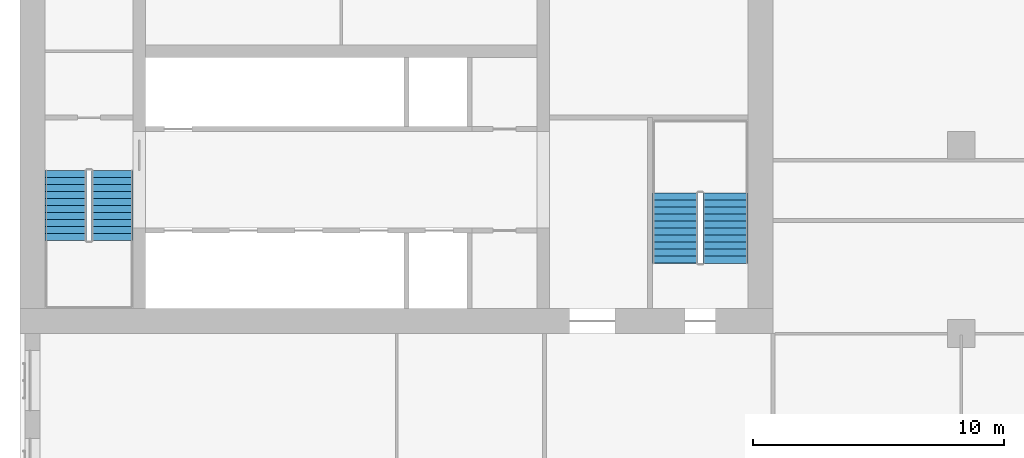
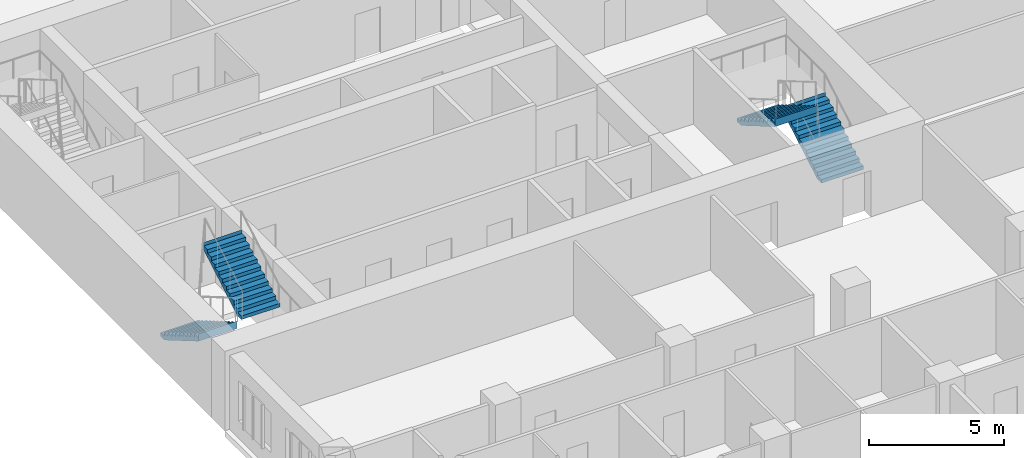
# One storey, part 12 of 14: 4 stair flights, 2 elements without a shape of their own.
"""IFC4 building model written with IfcOpenShell, lengths in metres."""

from ifc_helpers import new_model, si_unit, direction, frame, origin, place, context, subcontext, project, spatial, polyline, outline, extrude, material, type_object, element, aggregate, save


model = new_model("IFC4")

# Units and contexts
model_context = context("Model", 3, precision=1e-05, world=origin(), true_north=direction((0.0, 1.0)))
body_context = subcontext(model_context, "Body", "Model", "MODEL_VIEW")
ifc_project = project(units=[si_unit("LENGTHUNIT", "METRE"), si_unit("AREAUNIT", "SQUARE_METRE"), si_unit("VOLUMEUNIT", "CUBIC_METRE"), si_unit("PLANEANGLEUNIT", "RADIAN"), si_unit("MASSUNIT", "GRAM", prefix="KILO")], contexts=[model_context])

# Site, building, storey
site_placement = place(None, origin())
site = spatial("IfcSite", under=ifc_project, at=site_placement, CompositionType="ELEMENT")
building_placement = place(site_placement, origin())
building = spatial("IfcBuilding", under=site, at=building_placement, Name="Tamorin Gate", CompositionType="ELEMENT")
storey_placement = place(building_placement, frame((0.0, 0.0, 79.10009765625)))
storey = spatial("IfcBuildingStorey", under=building, at=storey_placement, Name="L18", CompositionType="ELEMENT", Elevation=79.10009765625)

# Stair, stair flights
ifc_material = material(Name="Concrete C40/50", Category="concrete")
stair_type = type_object("IfcStairType", Name="Exit stair", PredefinedType="HALF_TURN_STAIR", material=ifc_material)
stair_1_placement = place(storey_placement, origin())
stair_1 = element("IfcStair", 1, at=stair_1_placement, inside=storey, type_object=stair_type, Name="L18 stair ST1", PredefinedType="HALF_TURN_STAIR")
stair_flight_type = type_object("IfcStairFlightType", Name="Exit stair flight", PredefinedType="STRAIGHT", material=ifc_material)
stair_flight_1_placement = place(storey_placement, frame((31.824951171875, 66.5, 0.0), z_axis=(0.0, 0.0, 1.0), x_axis=(0.0, -1.0, 0.0)))
stair_flight_1 = element("IfcStairFlight", 2, at=stair_flight_1_placement, type_object=stair_flight_type, Name="ST1 flight 1", NumberOfRisers=11, NumberOfTreads=10, PredefinedType="STRAIGHT", RiserHeight=0.163636364, TreadLength=0.28, context=body_context, shape_type="SweptSolid", body=[
    extrude(outline(polyline([(-0.00048828125, 0.0), (-0.00048828125, 0.001708984375), (-0.00048828125, 0.003173828125), (-0.00048828125, 0.0048828125), (-0.00048828125, 0.006591796875), (-0.00048828125, 0.008056640625), (-0.00048828125, 0.009765625), (-0.00048828125, 0.01123046875), (-0.00048828125, 0.012939453125), (-0.00048828125, 0.0146484375), (-0.00048828125, 0.01611328125), (-0.00048828125, 0.017822265625), (-0.00048828125, 0.01953125), (-0.00048828125, 0.02099609375), (-0.00048828125, 0.022705078125), (-0.00048828125, 0.0244140625), (-0.00048828125, 0.02587890625), (-0.00048828125, 0.027587890625), (-0.00048828125, 0.029052734375), (-0.00048828125, 0.03076171875), (-0.00048828125, 0.032470703125), (-0.00048828125, 0.033935546875), (-0.00048828125, 0.03564453125), (-0.00048828125, 0.037353515625), (-0.00048828125, 0.038818359375), (-0.00048828125, 0.04052734375), (-0.00048828125, 0.042236328125), (-0.00048828125, 0.043701171875), (-0.00048828125, 0.04541015625), (-0.00048828125, 0.046875), (-0.00048828125, 0.048583984375), (-0.00048828125, 0.05029296875), (-0.00048828125, 0.0517578125), (-0.00048828125, 0.053466796875), (-0.00048828125, 0.05517578125), (-0.00048828125, 0.056640625), (-0.00048828125, 0.058349609375), (-0.00048828125, 0.06005859375), (-0.00048828125, 0.0615234375), (-0.00048828125, 0.063232421875), (-0.00048828125, 0.064697265625), (-0.00048828125, 0.06640625), (-0.00048828125, 0.068115234375), (-0.00048828125, 0.069580078125), (-0.00048828125, 0.0712890625), (-0.00048828125, 0.072998046875), (-0.00048828125, 0.074462890625), (-0.00048828125, 0.076171875), (-0.00048828125, 0.077880859375), (-0.00048828125, 0.079345703125), (-0.00048828125, 0.0810546875), (-0.00048828125, 0.08251953125), (-0.00048828125, 0.084228515625), (-0.00048828125, 0.0859375), (-0.00048828125, 0.08740234375), (-0.00048828125, 0.089111328125), (-0.00048828125, 0.0908203125), (-0.00048828125, 0.09228515625), (-0.00048828125, 0.093994140625), (-0.00048828125, 0.095703125), (-0.00048828125, 0.09716796875), (-0.00048828125, 0.098876953125), (-0.00048828125, 0.100341796875), (-0.00048828125, 0.10205078125), (-0.00048828125, 0.103759765625), (-0.00048828125, 0.105224609375), (-0.00048828125, 0.10693359375), (-0.00048828125, 0.108642578125), (-0.00048828125, 0.110107421875), (-0.00048828125, 0.11181640625), (-0.00048828125, 0.113525390625), (-0.00048828125, 0.114990234375), (-0.00048828125, 0.11669921875), (-0.00048828125, 0.1181640625), (-0.00048828125, 0.119873046875), (-0.00048828125, 0.12158203125), (-0.00048828125, 0.123046875), (-0.00048828125, 0.124755859375), (-0.00048828125, 0.12646484375), (-0.00048828125, 0.1279296875), (-0.00048828125, 0.129638671875), (-0.00048828125, 0.13134765625), (-0.00048828125, 0.1328125), (-0.00048828125, 0.134521484375), (-0.00048828125, 0.135986328125), (-0.00048828125, 0.1376953125), (-0.00048828125, 0.139404296875), (-0.00048828125, 0.140869140625), (-0.00048828125, 0.142578125), (-0.00048828125, 0.144287109375), (-0.00048828125, 0.145751953125), (-0.00048828125, 0.1474609375), (-0.00048828125, 0.149169921875), (-0.00048828125, 0.150634765625), (-0.00048828125, 0.15234375), (-0.00048828125, 0.15380859375), (-0.00048828125, 0.155517578125), (-0.00048828125, 0.1572265625), (-0.00048828125, 0.15869140625), (-0.00048828125, 0.160400390625), (-0.00048828125, 0.162109375), (-0.00048828125, 0.16357421875), (0.280029296875, 0.16357421875), (0.280029296875, 0.327392578125), (0.56005859375, 0.327392578125), (0.56005859375, 0.490966796875), (0.840087890625, 0.490966796875), (0.840087890625, 0.654541015625), (1.1201171875, 0.654541015625), (1.1201171875, 0.818115234375), (1.39990234375, 0.818115234375), (1.39990234375, 0.98193359375), (1.679931640625, 0.98193359375), (1.679931640625, 1.1455078125), (1.9599609375, 1.1455078125), (1.9599609375, 1.30908203125), (2.239990234375, 1.30908203125), (2.239990234375, 1.47265625), (2.52001953125, 1.47265625), (2.52001953125, 1.636474609375), (2.800048828125, 1.636474609375), (2.800048828125, 1.800048828125), (2.800537109375, 1.800048828125), (2.800537109375, 1.796630859375), (2.800537109375, 1.793212890625), (2.800537109375, 1.7900390625), (2.800537109375, 1.78662109375), (2.800537109375, 1.783203125), (2.800537109375, 1.780029296875), (2.800537109375, 1.776611328125), (2.800537109375, 1.773193359375), (2.800537109375, 1.77001953125), (2.800537109375, 1.7666015625), (2.800537109375, 1.76318359375), (2.800537109375, 1.760009765625), (2.800537109375, 1.756591796875), (2.800537109375, 1.753173828125), (2.800537109375, 1.75), (2.800537109375, 1.74658203125), (2.800537109375, 1.7431640625), (2.800537109375, 1.739990234375), (2.800537109375, 1.736572265625), (2.800537109375, 1.733154296875), (2.800537109375, 1.72998046875), (2.800537109375, 1.7265625), (2.800537109375, 1.72314453125), (2.800537109375, 1.719970703125), (2.800537109375, 1.716552734375), (2.800537109375, 1.713134765625), (2.800537109375, 1.7099609375), (2.800537109375, 1.70654296875), (2.800537109375, 1.703125), (2.800537109375, 1.69970703125), (2.800537109375, 1.696533203125), (2.800537109375, 1.693115234375), (2.800537109375, 1.689697265625), (2.800537109375, 1.6865234375), (2.800537109375, 1.68310546875), (2.800537109375, 1.6796875), (2.800537109375, 1.676513671875), (2.800537109375, 1.673095703125), (2.800537109375, 1.669677734375), (2.800537109375, 1.66650390625), (2.800537109375, 1.6630859375), (2.800537109375, 1.65966796875), (2.800537109375, 1.656494140625), (2.800537109375, 1.653076171875), (2.800537109375, 1.649658203125), (2.800537109375, 1.646484375), (2.800537109375, 1.64306640625), (2.800537109375, 1.6396484375), (2.800537109375, 1.636474609375), (2.800537109375, 1.633056640625), (2.800537109375, 1.629638671875), (2.800537109375, 1.62646484375), (2.800537109375, 1.623046875), (2.800537109375, 1.61962890625), (2.800537109375, 1.616455078125), (2.800537109375, 1.613037109375), (2.800537109375, 1.609619140625), (2.800537109375, 1.6064453125), (2.800537109375, 1.60302734375), (2.800537109375, 1.599609375), (2.800537109375, 1.59619140625), (2.800537109375, 1.593017578125), (2.800537109375, 1.589599609375), (2.800537109375, 1.586181640625), (2.800537109375, 1.5830078125), (2.800537109375, 1.57958984375), (2.800537109375, 1.576171875), (2.800537109375, 1.572998046875), (2.800537109375, 1.569580078125), (2.800537109375, 1.566162109375), (2.800537109375, 1.56298828125), (2.800537109375, 1.5595703125), (2.800537109375, 1.55615234375), (2.800537109375, 1.552978515625), (2.800537109375, 1.549560546875), (2.800537109375, 1.546142578125), (2.800537109375, 1.54296875), (2.800537109375, 1.53955078125), (2.800537109375, 1.5361328125), (2.800537109375, 1.532958984375), (2.800537109375, 1.529541015625), (2.800537109375, 1.526123046875), (2.800537109375, 1.52294921875), (2.800537109375, 1.51953125), (2.800537109375, 1.51611328125), (2.800537109375, 1.512939453125), (2.800537109375, 1.509521484375), (2.800537109375, 1.506103515625), (2.800537109375, 1.5029296875), (2.800537109375, 1.49951171875), (2.800537109375, 1.49609375), (2.800537109375, 1.49267578125), (2.800537109375, 1.489501953125), (2.800537109375, 1.486083984375), (2.800537109375, 1.482666015625), (2.800537109375, 1.4794921875), (2.800537109375, 1.47607421875), (2.800537109375, 1.47265625), (2.800537109375, 1.469482421875), (2.800537109375, 1.466064453125), (2.800537109375, 1.462646484375), (2.800048828125, 1.462646484375), (0.297119140625, 0.0), (-0.00048828125, 0.0)])), frame((0.0, 0.824951171875, 0.0), z_axis=(0.0, -1.0, 0.0), x_axis=(1.0, 0.0, 0.0)), (0.0, 0.0, 1.0), 1.64990234375),
])
stair_flight_2_placement = place(storey_placement, frame((33.675048828125, 63.699951171875, 1.7998046875), z_axis=(0.0, 0.0, 1.0), x_axis=(0.0, 1.0, 0.0)))
stair_flight_2 = element("IfcStairFlight", 3, at=stair_flight_2_placement, type_object=stair_flight_type, Name="ST1 flight 2", NumberOfRisers=11, NumberOfTreads=10, PredefinedType="STRAIGHT", RiserHeight=0.163636364, TreadLength=0.28, context=body_context, shape_type="SweptSolid", body=[
    extrude(outline(polyline([(-0.00048828125, 0.0), (-0.00048828125, 0.001708984375), (-0.00048828125, 0.003173828125), (-0.00048828125, 0.0048828125), (-0.00048828125, 0.006591796875), (-0.00048828125, 0.008056640625), (-0.00048828125, 0.009765625), (-0.00048828125, 0.01123046875), (-0.00048828125, 0.012939453125), (-0.00048828125, 0.0146484375), (-0.00048828125, 0.01611328125), (-0.00048828125, 0.017822265625), (-0.00048828125, 0.01953125), (-0.00048828125, 0.02099609375), (-0.00048828125, 0.022705078125), (-0.00048828125, 0.0244140625), (-0.00048828125, 0.02587890625), (-0.00048828125, 0.027587890625), (-0.00048828125, 0.029052734375), (-0.00048828125, 0.03076171875), (-0.00048828125, 0.032470703125), (-0.00048828125, 0.033935546875), (-0.00048828125, 0.03564453125), (-0.00048828125, 0.037353515625), (-0.00048828125, 0.038818359375), (-0.00048828125, 0.04052734375), (-0.00048828125, 0.042236328125), (-0.00048828125, 0.043701171875), (-0.00048828125, 0.04541015625), (-0.00048828125, 0.046875), (-0.00048828125, 0.048583984375), (-0.00048828125, 0.05029296875), (-0.00048828125, 0.0517578125), (-0.00048828125, 0.053466796875), (-0.00048828125, 0.05517578125), (-0.00048828125, 0.056640625), (-0.00048828125, 0.058349609375), (-0.00048828125, 0.06005859375), (-0.00048828125, 0.0615234375), (-0.00048828125, 0.063232421875), (-0.00048828125, 0.064697265625), (-0.00048828125, 0.06640625), (-0.00048828125, 0.068115234375), (-0.00048828125, 0.069580078125), (-0.00048828125, 0.0712890625), (-0.00048828125, 0.072998046875), (-0.00048828125, 0.074462890625), (-0.00048828125, 0.076171875), (-0.00048828125, 0.077880859375), (-0.00048828125, 0.079345703125), (-0.00048828125, 0.0810546875), (-0.00048828125, 0.08251953125), (-0.00048828125, 0.084228515625), (-0.00048828125, 0.0859375), (-0.00048828125, 0.08740234375), (-0.00048828125, 0.089111328125), (-0.00048828125, 0.0908203125), (-0.00048828125, 0.09228515625), (-0.00048828125, 0.093994140625), (-0.00048828125, 0.095703125), (-0.00048828125, 0.09716796875), (-0.00048828125, 0.098876953125), (-0.00048828125, 0.100341796875), (-0.00048828125, 0.10205078125), (-0.00048828125, 0.103759765625), (-0.00048828125, 0.105224609375), (-0.00048828125, 0.10693359375), (-0.00048828125, 0.108642578125), (-0.00048828125, 0.110107421875), (-0.00048828125, 0.11181640625), (-0.00048828125, 0.113525390625), (-0.00048828125, 0.114990234375), (-0.00048828125, 0.11669921875), (-0.00048828125, 0.1181640625), (-0.00048828125, 0.119873046875), (-0.00048828125, 0.12158203125), (-0.00048828125, 0.123046875), (-0.00048828125, 0.124755859375), (-0.00048828125, 0.12646484375), (-0.00048828125, 0.1279296875), (-0.00048828125, 0.129638671875), (-0.00048828125, 0.13134765625), (-0.00048828125, 0.1328125), (-0.00048828125, 0.134521484375), (-0.00048828125, 0.135986328125), (-0.00048828125, 0.1376953125), (-0.00048828125, 0.139404296875), (-0.00048828125, 0.140869140625), (-0.00048828125, 0.142578125), (-0.00048828125, 0.144287109375), (-0.00048828125, 0.145751953125), (-0.00048828125, 0.1474609375), (-0.00048828125, 0.149169921875), (-0.00048828125, 0.150634765625), (-0.00048828125, 0.15234375), (-0.00048828125, 0.15380859375), (-0.00048828125, 0.155517578125), (-0.00048828125, 0.1572265625), (-0.00048828125, 0.15869140625), (-0.00048828125, 0.160400390625), (-0.00048828125, 0.162109375), (-0.00048828125, 0.16357421875), (0.280029296875, 0.16357421875), (0.280029296875, 0.327392578125), (0.56005859375, 0.327392578125), (0.56005859375, 0.490966796875), (0.840087890625, 0.490966796875), (0.840087890625, 0.654541015625), (1.1201171875, 0.654541015625), (1.1201171875, 0.818115234375), (1.39990234375, 0.818115234375), (1.39990234375, 0.98193359375), (1.679931640625, 0.98193359375), (1.679931640625, 1.1455078125), (1.9599609375, 1.1455078125), (1.9599609375, 1.30908203125), (2.239990234375, 1.30908203125), (2.239990234375, 1.47265625), (2.52001953125, 1.47265625), (2.52001953125, 1.636474609375), (2.800048828125, 1.636474609375), (2.800048828125, 1.800048828125), (2.800537109375, 1.800048828125), (2.800537109375, 1.796630859375), (2.800537109375, 1.793212890625), (2.800537109375, 1.7900390625), (2.800537109375, 1.78662109375), (2.800537109375, 1.783203125), (2.800537109375, 1.780029296875), (2.800537109375, 1.776611328125), (2.800537109375, 1.773193359375), (2.800537109375, 1.77001953125), (2.800537109375, 1.7666015625), (2.800537109375, 1.76318359375), (2.800537109375, 1.760009765625), (2.800537109375, 1.756591796875), (2.800537109375, 1.753173828125), (2.800537109375, 1.75), (2.800537109375, 1.74658203125), (2.800537109375, 1.7431640625), (2.800537109375, 1.739990234375), (2.800537109375, 1.736572265625), (2.800537109375, 1.733154296875), (2.800537109375, 1.72998046875), (2.800537109375, 1.7265625), (2.800537109375, 1.72314453125), (2.800537109375, 1.719970703125), (2.800537109375, 1.716552734375), (2.800537109375, 1.713134765625), (2.800537109375, 1.7099609375), (2.800537109375, 1.70654296875), (2.800537109375, 1.703125), (2.800537109375, 1.69970703125), (2.800537109375, 1.696533203125), (2.800537109375, 1.693115234375), (2.800537109375, 1.689697265625), (2.800537109375, 1.6865234375), (2.800537109375, 1.68310546875), (2.800537109375, 1.6796875), (2.800537109375, 1.676513671875), (2.800537109375, 1.673095703125), (2.800537109375, 1.669677734375), (2.800537109375, 1.66650390625), (2.800537109375, 1.6630859375), (2.800537109375, 1.65966796875), (2.800537109375, 1.656494140625), (2.800537109375, 1.653076171875), (2.800537109375, 1.649658203125), (2.800537109375, 1.646484375), (2.800537109375, 1.64306640625), (2.800537109375, 1.6396484375), (2.800537109375, 1.636474609375), (2.800537109375, 1.633056640625), (2.800537109375, 1.629638671875), (2.800537109375, 1.62646484375), (2.800537109375, 1.623046875), (2.800537109375, 1.61962890625), (2.800537109375, 1.616455078125), (2.800537109375, 1.613037109375), (2.800537109375, 1.609619140625), (2.800537109375, 1.6064453125), (2.800537109375, 1.60302734375), (2.800537109375, 1.599609375), (2.800537109375, 1.59619140625), (2.800537109375, 1.593017578125), (2.800537109375, 1.589599609375), (2.800537109375, 1.586181640625), (2.800537109375, 1.5830078125), (2.800537109375, 1.57958984375), (2.800537109375, 1.576171875), (2.800537109375, 1.572998046875), (2.800537109375, 1.569580078125), (2.800537109375, 1.566162109375), (2.800537109375, 1.56298828125), (2.800537109375, 1.5595703125), (2.800537109375, 1.55615234375), (2.800537109375, 1.552978515625), (2.800537109375, 1.549560546875), (2.800537109375, 1.546142578125), (2.800537109375, 1.54296875), (2.800537109375, 1.53955078125), (2.800537109375, 1.5361328125), (2.800537109375, 1.532958984375), (2.800537109375, 1.529541015625), (2.800537109375, 1.526123046875), (2.800537109375, 1.52294921875), (2.800537109375, 1.51953125), (2.800537109375, 1.51611328125), (2.800537109375, 1.512939453125), (2.800537109375, 1.509521484375), (2.800537109375, 1.506103515625), (2.800537109375, 1.5029296875), (2.800537109375, 1.49951171875), (2.800537109375, 1.49609375), (2.800537109375, 1.49267578125), (2.800537109375, 1.489501953125), (2.800537109375, 1.486083984375), (2.800537109375, 1.482666015625), (2.800537109375, 1.4794921875), (2.800537109375, 1.47607421875), (2.800537109375, 1.47265625), (2.800537109375, 1.469482421875), (2.800537109375, 1.466064453125), (2.800537109375, 1.462646484375), (2.800048828125, 1.462646484375), (0.297119140625, 0.0), (-0.00048828125, 0.0)])), frame((0.0, 0.824951171875, 0.0), z_axis=(0.0, -1.0, 0.0), x_axis=(1.0, 0.0, 0.0)), (0.0, 0.0, 1.0), 1.64990234375),
])
aggregate(stair_1, [stair_flight_1, stair_flight_2])

stair_2_placement = place(storey_placement, origin())
stair_2 = element("IfcStair", 4, at=stair_2_placement, inside=storey, type_object=stair_type, Name="L18 stair ST3", PredefinedType="HALF_TURN_STAIR")
stair_flight_3_placement = place(storey_placement, frame((58.10009765625, 62.800048828125, 0.0), z_axis=(0.0, 0.0, 1.0), x_axis=(0.0, 1.0, 0.0)))
stair_flight_3 = element("IfcStairFlight", 5, at=stair_flight_3_placement, type_object=stair_flight_type, Name="ST3 flight 1", NumberOfRisers=11, NumberOfTreads=10, PredefinedType="STRAIGHT", RiserHeight=0.163636364, TreadLength=0.28, context=body_context, shape_type="SweptSolid", body=[
    extrude(outline(polyline([(-0.00048828125, 0.0), (-0.00048828125, 0.001708984375), (-0.00048828125, 0.003173828125), (-0.00048828125, 0.0048828125), (-0.00048828125, 0.006591796875), (-0.00048828125, 0.008056640625), (-0.00048828125, 0.009765625), (-0.00048828125, 0.01123046875), (-0.00048828125, 0.012939453125), (-0.00048828125, 0.0146484375), (-0.00048828125, 0.01611328125), (-0.00048828125, 0.017822265625), (-0.00048828125, 0.01953125), (-0.00048828125, 0.02099609375), (-0.00048828125, 0.022705078125), (-0.00048828125, 0.0244140625), (-0.00048828125, 0.02587890625), (-0.00048828125, 0.027587890625), (-0.00048828125, 0.029052734375), (-0.00048828125, 0.03076171875), (-0.00048828125, 0.032470703125), (-0.00048828125, 0.033935546875), (-0.00048828125, 0.03564453125), (-0.00048828125, 0.037353515625), (-0.00048828125, 0.038818359375), (-0.00048828125, 0.04052734375), (-0.00048828125, 0.042236328125), (-0.00048828125, 0.043701171875), (-0.00048828125, 0.04541015625), (-0.00048828125, 0.046875), (-0.00048828125, 0.048583984375), (-0.00048828125, 0.05029296875), (-0.00048828125, 0.0517578125), (-0.00048828125, 0.053466796875), (-0.00048828125, 0.05517578125), (-0.00048828125, 0.056640625), (-0.00048828125, 0.058349609375), (-0.00048828125, 0.06005859375), (-0.00048828125, 0.0615234375), (-0.00048828125, 0.063232421875), (-0.00048828125, 0.064697265625), (-0.00048828125, 0.06640625), (-0.00048828125, 0.068115234375), (-0.00048828125, 0.069580078125), (-0.00048828125, 0.0712890625), (-0.00048828125, 0.072998046875), (-0.00048828125, 0.074462890625), (-0.00048828125, 0.076171875), (-0.00048828125, 0.077880859375), (-0.00048828125, 0.079345703125), (-0.00048828125, 0.0810546875), (-0.00048828125, 0.08251953125), (-0.00048828125, 0.084228515625), (-0.00048828125, 0.0859375), (-0.00048828125, 0.08740234375), (-0.00048828125, 0.089111328125), (-0.00048828125, 0.0908203125), (-0.00048828125, 0.09228515625), (-0.00048828125, 0.093994140625), (-0.00048828125, 0.095703125), (-0.00048828125, 0.09716796875), (-0.00048828125, 0.098876953125), (-0.00048828125, 0.100341796875), (-0.00048828125, 0.10205078125), (-0.00048828125, 0.103759765625), (-0.00048828125, 0.105224609375), (-0.00048828125, 0.10693359375), (-0.00048828125, 0.108642578125), (-0.00048828125, 0.110107421875), (-0.00048828125, 0.11181640625), (-0.00048828125, 0.113525390625), (-0.00048828125, 0.114990234375), (-0.00048828125, 0.11669921875), (-0.00048828125, 0.1181640625), (-0.00048828125, 0.119873046875), (-0.00048828125, 0.12158203125), (-0.00048828125, 0.123046875), (-0.00048828125, 0.124755859375), (-0.00048828125, 0.12646484375), (-0.00048828125, 0.1279296875), (-0.00048828125, 0.129638671875), (-0.00048828125, 0.13134765625), (-0.00048828125, 0.1328125), (-0.00048828125, 0.134521484375), (-0.00048828125, 0.135986328125), (-0.00048828125, 0.1376953125), (-0.00048828125, 0.139404296875), (-0.00048828125, 0.140869140625), (-0.00048828125, 0.142578125), (-0.00048828125, 0.144287109375), (-0.00048828125, 0.145751953125), (-0.00048828125, 0.1474609375), (-0.00048828125, 0.149169921875), (-0.00048828125, 0.150634765625), (-0.00048828125, 0.15234375), (-0.00048828125, 0.15380859375), (-0.00048828125, 0.155517578125), (-0.00048828125, 0.1572265625), (-0.00048828125, 0.15869140625), (-0.00048828125, 0.160400390625), (-0.00048828125, 0.162109375), (-0.00048828125, 0.16357421875), (0.280029296875, 0.16357421875), (0.280029296875, 0.327392578125), (0.56005859375, 0.327392578125), (0.56005859375, 0.490966796875), (0.840087890625, 0.490966796875), (0.840087890625, 0.654541015625), (1.1201171875, 0.654541015625), (1.1201171875, 0.818115234375), (1.39990234375, 0.818115234375), (1.39990234375, 0.98193359375), (1.679931640625, 0.98193359375), (1.679931640625, 1.1455078125), (1.9599609375, 1.1455078125), (1.9599609375, 1.30908203125), (2.239990234375, 1.30908203125), (2.239990234375, 1.47265625), (2.52001953125, 1.47265625), (2.52001953125, 1.636474609375), (2.800048828125, 1.636474609375), (2.800048828125, 1.800048828125), (2.800537109375, 1.800048828125), (2.800537109375, 1.796630859375), (2.800537109375, 1.793212890625), (2.800537109375, 1.7900390625), (2.800537109375, 1.78662109375), (2.800537109375, 1.783203125), (2.800537109375, 1.780029296875), (2.800537109375, 1.776611328125), (2.800537109375, 1.773193359375), (2.800537109375, 1.77001953125), (2.800537109375, 1.7666015625), (2.800537109375, 1.76318359375), (2.800537109375, 1.760009765625), (2.800537109375, 1.756591796875), (2.800537109375, 1.753173828125), (2.800537109375, 1.75), (2.800537109375, 1.74658203125), (2.800537109375, 1.7431640625), (2.800537109375, 1.739990234375), (2.800537109375, 1.736572265625), (2.800537109375, 1.733154296875), (2.800537109375, 1.72998046875), (2.800537109375, 1.7265625), (2.800537109375, 1.72314453125), (2.800537109375, 1.719970703125), (2.800537109375, 1.716552734375), (2.800537109375, 1.713134765625), (2.800537109375, 1.7099609375), (2.800537109375, 1.70654296875), (2.800537109375, 1.703125), (2.800537109375, 1.69970703125), (2.800537109375, 1.696533203125), (2.800537109375, 1.693115234375), (2.800537109375, 1.689697265625), (2.800537109375, 1.6865234375), (2.800537109375, 1.68310546875), (2.800537109375, 1.6796875), (2.800537109375, 1.676513671875), (2.800537109375, 1.673095703125), (2.800537109375, 1.669677734375), (2.800537109375, 1.66650390625), (2.800537109375, 1.6630859375), (2.800537109375, 1.65966796875), (2.800537109375, 1.656494140625), (2.800537109375, 1.653076171875), (2.800537109375, 1.649658203125), (2.800537109375, 1.646484375), (2.800537109375, 1.64306640625), (2.800537109375, 1.6396484375), (2.800537109375, 1.636474609375), (2.800537109375, 1.633056640625), (2.800537109375, 1.629638671875), (2.800537109375, 1.62646484375), (2.800537109375, 1.623046875), (2.800537109375, 1.61962890625), (2.800537109375, 1.616455078125), (2.800537109375, 1.613037109375), (2.800537109375, 1.609619140625), (2.800537109375, 1.6064453125), (2.800537109375, 1.60302734375), (2.800537109375, 1.599609375), (2.800537109375, 1.59619140625), (2.800537109375, 1.593017578125), (2.800537109375, 1.589599609375), (2.800537109375, 1.586181640625), (2.800537109375, 1.5830078125), (2.800537109375, 1.57958984375), (2.800537109375, 1.576171875), (2.800537109375, 1.572998046875), (2.800537109375, 1.569580078125), (2.800537109375, 1.566162109375), (2.800537109375, 1.56298828125), (2.800537109375, 1.5595703125), (2.800537109375, 1.55615234375), (2.800537109375, 1.552978515625), (2.800537109375, 1.549560546875), (2.800537109375, 1.546142578125), (2.800537109375, 1.54296875), (2.800537109375, 1.53955078125), (2.800537109375, 1.5361328125), (2.800537109375, 1.532958984375), (2.800537109375, 1.529541015625), (2.800537109375, 1.526123046875), (2.800537109375, 1.52294921875), (2.800537109375, 1.51953125), (2.800537109375, 1.51611328125), (2.800537109375, 1.512939453125), (2.800537109375, 1.509521484375), (2.800537109375, 1.506103515625), (2.800537109375, 1.5029296875), (2.800537109375, 1.49951171875), (2.800537109375, 1.49609375), (2.800537109375, 1.49267578125), (2.800537109375, 1.489501953125), (2.800537109375, 1.486083984375), (2.800537109375, 1.482666015625), (2.800537109375, 1.4794921875), (2.800537109375, 1.47607421875), (2.800537109375, 1.47265625), (2.800537109375, 1.469482421875), (2.800537109375, 1.466064453125), (2.800537109375, 1.462646484375), (2.800048828125, 1.462646484375), (0.297119140625, 0.0), (-0.00048828125, 0.0)])), frame((0.0, 0.89990234375, 0.0), z_axis=(0.0, -1.0, 0.0), x_axis=(1.0, 0.0, 0.0)), (0.0, 0.0, 1.0), 1.800048828125),
])
stair_flight_4_placement = place(storey_placement, frame((56.10009765625, 65.60009765625, 1.7998046875), z_axis=(0.0, 0.0, 1.0), x_axis=(0.0, -1.0, 0.0)))
stair_flight_4 = element("IfcStairFlight", 6, at=stair_flight_4_placement, type_object=stair_flight_type, Name="ST3 flight 2", NumberOfRisers=11, NumberOfTreads=10, PredefinedType="STRAIGHT", RiserHeight=0.163636364, TreadLength=0.28, context=body_context, shape_type="SweptSolid", body=[
    extrude(outline(polyline([(-0.00048828125, 0.0), (-0.00048828125, 0.001708984375), (-0.00048828125, 0.003173828125), (-0.00048828125, 0.0048828125), (-0.00048828125, 0.006591796875), (-0.00048828125, 0.008056640625), (-0.00048828125, 0.009765625), (-0.00048828125, 0.01123046875), (-0.00048828125, 0.012939453125), (-0.00048828125, 0.0146484375), (-0.00048828125, 0.01611328125), (-0.00048828125, 0.017822265625), (-0.00048828125, 0.01953125), (-0.00048828125, 0.02099609375), (-0.00048828125, 0.022705078125), (-0.00048828125, 0.0244140625), (-0.00048828125, 0.02587890625), (-0.00048828125, 0.027587890625), (-0.00048828125, 0.029052734375), (-0.00048828125, 0.03076171875), (-0.00048828125, 0.032470703125), (-0.00048828125, 0.033935546875), (-0.00048828125, 0.03564453125), (-0.00048828125, 0.037353515625), (-0.00048828125, 0.038818359375), (-0.00048828125, 0.04052734375), (-0.00048828125, 0.042236328125), (-0.00048828125, 0.043701171875), (-0.00048828125, 0.04541015625), (-0.00048828125, 0.046875), (-0.00048828125, 0.048583984375), (-0.00048828125, 0.05029296875), (-0.00048828125, 0.0517578125), (-0.00048828125, 0.053466796875), (-0.00048828125, 0.05517578125), (-0.00048828125, 0.056640625), (-0.00048828125, 0.058349609375), (-0.00048828125, 0.06005859375), (-0.00048828125, 0.0615234375), (-0.00048828125, 0.063232421875), (-0.00048828125, 0.064697265625), (-0.00048828125, 0.06640625), (-0.00048828125, 0.068115234375), (-0.00048828125, 0.069580078125), (-0.00048828125, 0.0712890625), (-0.00048828125, 0.072998046875), (-0.00048828125, 0.074462890625), (-0.00048828125, 0.076171875), (-0.00048828125, 0.077880859375), (-0.00048828125, 0.079345703125), (-0.00048828125, 0.0810546875), (-0.00048828125, 0.08251953125), (-0.00048828125, 0.084228515625), (-0.00048828125, 0.0859375), (-0.00048828125, 0.08740234375), (-0.00048828125, 0.089111328125), (-0.00048828125, 0.0908203125), (-0.00048828125, 0.09228515625), (-0.00048828125, 0.093994140625), (-0.00048828125, 0.095703125), (-0.00048828125, 0.09716796875), (-0.00048828125, 0.098876953125), (-0.00048828125, 0.100341796875), (-0.00048828125, 0.10205078125), (-0.00048828125, 0.103759765625), (-0.00048828125, 0.105224609375), (-0.00048828125, 0.10693359375), (-0.00048828125, 0.108642578125), (-0.00048828125, 0.110107421875), (-0.00048828125, 0.11181640625), (-0.00048828125, 0.113525390625), (-0.00048828125, 0.114990234375), (-0.00048828125, 0.11669921875), (-0.00048828125, 0.1181640625), (-0.00048828125, 0.119873046875), (-0.00048828125, 0.12158203125), (-0.00048828125, 0.123046875), (-0.00048828125, 0.124755859375), (-0.00048828125, 0.12646484375), (-0.00048828125, 0.1279296875), (-0.00048828125, 0.129638671875), (-0.00048828125, 0.13134765625), (-0.00048828125, 0.1328125), (-0.00048828125, 0.134521484375), (-0.00048828125, 0.135986328125), (-0.00048828125, 0.1376953125), (-0.00048828125, 0.139404296875), (-0.00048828125, 0.140869140625), (-0.00048828125, 0.142578125), (-0.00048828125, 0.144287109375), (-0.00048828125, 0.145751953125), (-0.00048828125, 0.1474609375), (-0.00048828125, 0.149169921875), (-0.00048828125, 0.150634765625), (-0.00048828125, 0.15234375), (-0.00048828125, 0.15380859375), (-0.00048828125, 0.155517578125), (-0.00048828125, 0.1572265625), (-0.00048828125, 0.15869140625), (-0.00048828125, 0.160400390625), (-0.00048828125, 0.162109375), (-0.00048828125, 0.16357421875), (0.280029296875, 0.16357421875), (0.280029296875, 0.327392578125), (0.56005859375, 0.327392578125), (0.56005859375, 0.490966796875), (0.840087890625, 0.490966796875), (0.840087890625, 0.654541015625), (1.1201171875, 0.654541015625), (1.1201171875, 0.818115234375), (1.39990234375, 0.818115234375), (1.39990234375, 0.98193359375), (1.679931640625, 0.98193359375), (1.679931640625, 1.1455078125), (1.9599609375, 1.1455078125), (1.9599609375, 1.30908203125), (2.239990234375, 1.30908203125), (2.239990234375, 1.47265625), (2.52001953125, 1.47265625), (2.52001953125, 1.636474609375), (2.800048828125, 1.636474609375), (2.800048828125, 1.800048828125), (2.800537109375, 1.800048828125), (2.800537109375, 1.796630859375), (2.800537109375, 1.793212890625), (2.800537109375, 1.7900390625), (2.800537109375, 1.78662109375), (2.800537109375, 1.783203125), (2.800537109375, 1.780029296875), (2.800537109375, 1.776611328125), (2.800537109375, 1.773193359375), (2.800537109375, 1.77001953125), (2.800537109375, 1.7666015625), (2.800537109375, 1.76318359375), (2.800537109375, 1.760009765625), (2.800537109375, 1.756591796875), (2.800537109375, 1.753173828125), (2.800537109375, 1.75), (2.800537109375, 1.74658203125), (2.800537109375, 1.7431640625), (2.800537109375, 1.739990234375), (2.800537109375, 1.736572265625), (2.800537109375, 1.733154296875), (2.800537109375, 1.72998046875), (2.800537109375, 1.7265625), (2.800537109375, 1.72314453125), (2.800537109375, 1.719970703125), (2.800537109375, 1.716552734375), (2.800537109375, 1.713134765625), (2.800537109375, 1.7099609375), (2.800537109375, 1.70654296875), (2.800537109375, 1.703125), (2.800537109375, 1.69970703125), (2.800537109375, 1.696533203125), (2.800537109375, 1.693115234375), (2.800537109375, 1.689697265625), (2.800537109375, 1.6865234375), (2.800537109375, 1.68310546875), (2.800537109375, 1.6796875), (2.800537109375, 1.676513671875), (2.800537109375, 1.673095703125), (2.800537109375, 1.669677734375), (2.800537109375, 1.66650390625), (2.800537109375, 1.6630859375), (2.800537109375, 1.65966796875), (2.800537109375, 1.656494140625), (2.800537109375, 1.653076171875), (2.800537109375, 1.649658203125), (2.800537109375, 1.646484375), (2.800537109375, 1.64306640625), (2.800537109375, 1.6396484375), (2.800537109375, 1.636474609375), (2.800537109375, 1.633056640625), (2.800537109375, 1.629638671875), (2.800537109375, 1.62646484375), (2.800537109375, 1.623046875), (2.800537109375, 1.61962890625), (2.800537109375, 1.616455078125), (2.800537109375, 1.613037109375), (2.800537109375, 1.609619140625), (2.800537109375, 1.6064453125), (2.800537109375, 1.60302734375), (2.800537109375, 1.599609375), (2.800537109375, 1.59619140625), (2.800537109375, 1.593017578125), (2.800537109375, 1.589599609375), (2.800537109375, 1.586181640625), (2.800537109375, 1.5830078125), (2.800537109375, 1.57958984375), (2.800537109375, 1.576171875), (2.800537109375, 1.572998046875), (2.800537109375, 1.569580078125), (2.800537109375, 1.566162109375), (2.800537109375, 1.56298828125), (2.800537109375, 1.5595703125), (2.800537109375, 1.55615234375), (2.800537109375, 1.552978515625), (2.800537109375, 1.549560546875), (2.800537109375, 1.546142578125), (2.800537109375, 1.54296875), (2.800537109375, 1.53955078125), (2.800537109375, 1.5361328125), (2.800537109375, 1.532958984375), (2.800537109375, 1.529541015625), (2.800537109375, 1.526123046875), (2.800537109375, 1.52294921875), (2.800537109375, 1.51953125), (2.800537109375, 1.51611328125), (2.800537109375, 1.512939453125), (2.800537109375, 1.509521484375), (2.800537109375, 1.506103515625), (2.800537109375, 1.5029296875), (2.800537109375, 1.49951171875), (2.800537109375, 1.49609375), (2.800537109375, 1.49267578125), (2.800537109375, 1.489501953125), (2.800537109375, 1.486083984375), (2.800537109375, 1.482666015625), (2.800537109375, 1.4794921875), (2.800537109375, 1.47607421875), (2.800537109375, 1.47265625), (2.800537109375, 1.469482421875), (2.800537109375, 1.466064453125), (2.800537109375, 1.462646484375), (2.800048828125, 1.462646484375), (0.297119140625, 0.0), (-0.00048828125, 0.0)])), frame((0.0, 0.89990234375, 0.0), z_axis=(0.0, -1.0, 0.0), x_axis=(1.0, 0.0, 0.0)), (0.0, 0.0, 1.0), 1.800048828125),
])
aggregate(stair_2, [stair_flight_3, stair_flight_4])

save(model, "model.ifc")
